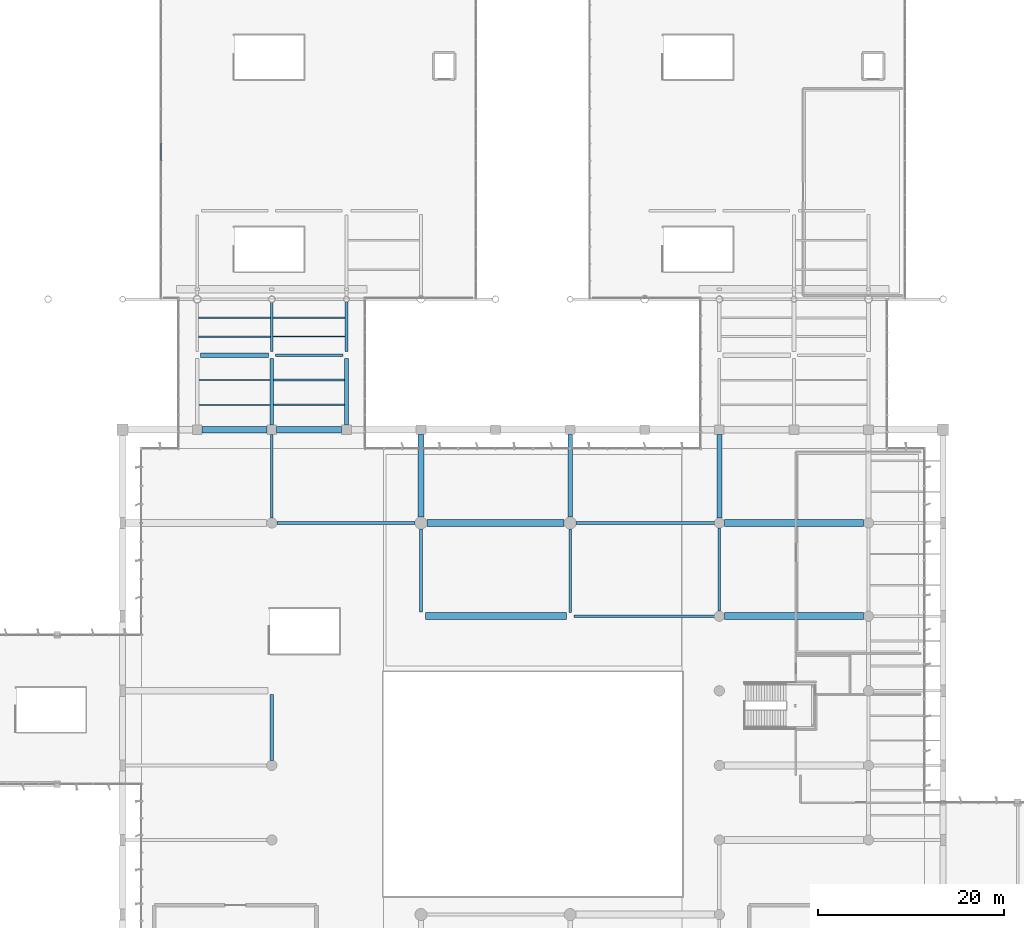
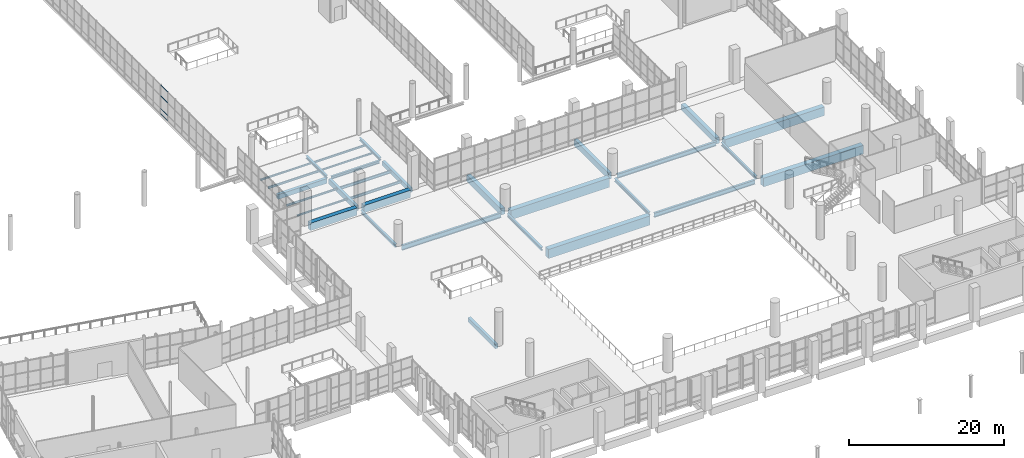
# One storey, part 51 of 176: 31 beams, 4 members, 1 element without a shape of its own.
"""IFC4 building model written with IfcOpenShell, lengths in metres."""

from ifc_helpers import new_model, si_unit, direction, frame, origin, origin_2d, place, context, subcontext, project, spatial, rectangle, hollow_rectangle, i_section, extrude, material, layer, layer_set, material_profile, profile_set, type_object, element, aggregate, save


model = new_model("IFC4")

# Units and contexts
model_context = context("Model", 3, precision=1e-05, world=origin(), true_north=direction((0.0, 1.0)))
body_context = subcontext(model_context, "Body", "Model", "MODEL_VIEW")
ifc_project = project(units=[si_unit("LENGTHUNIT", "METRE"), si_unit("AREAUNIT", "SQUARE_METRE"), si_unit("VOLUMEUNIT", "CUBIC_METRE"), si_unit("PLANEANGLEUNIT", "RADIAN"), si_unit("MASSUNIT", "GRAM", prefix="KILO")], contexts=[model_context])

# Site, building, storey
site_placement = place(None, origin())
site = spatial("IfcSite", under=ifc_project, at=site_placement, CompositionType="ELEMENT")
building_placement = place(site_placement, origin())
building = spatial("IfcBuilding", under=site, at=building_placement, Name="Khorjan Park Terminus", CompositionType="ELEMENT")
storey_placement = place(building_placement, frame((0.0, 0.0, 6.0)))
storey = spatial("IfcBuildingStorey", under=building, at=storey_placement, Name="L01", CompositionType="ELEMENT", Elevation=6.0)

# Beams
ifc_material_1 = material(Name="Steel S355", Category="steel")
ifc_material_profile_1 = material_profile(ifc_material_1, i_section(OverallWidth=0.3, OverallDepth=0.44, WebThickness=0.0115, FlangeThickness=0.021, FilletRadius=0.027, at=origin_2d()), Name="HEA 450")
ifc_profile_set_1 = profile_set([ifc_material_profile_1], Name="Steel S355")
beam_type_1 = type_object("IfcBeamType", Name="BM-HEA450", PredefinedType="BEAM", material=ifc_profile_set_1)
beam_1_placement = place(storey_placement, frame((64.37, 96.0, -0.56), z_axis=(1.0, 0.0, 0.0), x_axis=(0.0, 1.0, 0.0)))
element("IfcBeam", 1, at=beam_1_placement, inside=storey, type_object=beam_type_1, Name="Primary floor girder SB-A45 (L01)", PredefinedType="BEAM", context=body_context, shape_type="SweptSolid", body=[
    extrude(i_section(OverallWidth=0.3, OverallDepth=0.44, WebThickness=0.0115, FlangeThickness=0.021, FilletRadius=0.027, at=origin_2d()), origin(), (0.0, 0.0, 1.0), 7.26),
])
ifc_material_profile_2 = material_profile(ifc_material_1, i_section(OverallWidth=0.3, OverallDepth=0.69, WebThickness=0.0145, FlangeThickness=0.027, FilletRadius=0.027, at=origin_2d()), Name="HEA 700")
ifc_profile_set_2 = profile_set([ifc_material_profile_2], Name="Steel S355")
beam_type_2 = type_object("IfcBeamType", Name="BM-HEA700", PredefinedType="BEAM", material=ifc_profile_set_2)
beam_2_placement = place(storey_placement, frame((96.395, 68.0, -0.695), z_axis=(1.0, 0.0, 0.0), x_axis=(0.0, 1.0, 0.0)))
element("IfcBeam", 2, at=beam_2_placement, inside=storey, type_object=beam_type_2, Name="Primary floor girder SB-A70 (L01)", PredefinedType="BEAM", context=body_context, shape_type="SweptSolid", body=[
    extrude(i_section(OverallWidth=0.3, OverallDepth=0.69, WebThickness=0.0145, FlangeThickness=0.027, FilletRadius=0.027, at=origin_2d()), origin(), (0.0, 0.0, 1.0), 15.06),
])
beam_3_placement = place(storey_placement, frame((96.645, 78.0, -0.695), z_axis=(1.0, 0.0, 0.0), x_axis=(0.0, 1.0, 0.0)))
element("IfcBeam", 3, at=beam_3_placement, inside=storey, type_object=beam_type_2, Name="Primary floor girder SB-A70 (L01)", PredefinedType="BEAM", context=body_context, shape_type="SweptSolid", body=[
    extrude(i_section(OverallWidth=0.3, OverallDepth=0.69, WebThickness=0.0145, FlangeThickness=0.027, FilletRadius=0.027, at=origin_2d()), origin(), (0.0, 0.0, 1.0), 14.81),
])
ifc_material_profile_3 = material_profile(ifc_material_1, i_section(OverallWidth=0.3, OverallDepth=0.79, WebThickness=0.015, FlangeThickness=0.028, FilletRadius=0.03, at=origin_2d()), Name="HEA 800")
ifc_profile_set_3 = profile_set([ifc_material_profile_3], Name="Steel S355")
beam_type_3 = type_object("IfcBeamType", Name="BM-HEA800", PredefinedType="BEAM", material=ifc_profile_set_3)
beam_4_placement = place(storey_placement, frame((64.545, 78.0, -0.755), z_axis=(1.0, 0.0, 0.0), x_axis=(0.0, 1.0, 0.0)))
element("IfcBeam", 4, at=beam_4_placement, inside=storey, type_object=beam_type_3, Name="Primary floor girder SB-A80 (L01)", PredefinedType="BEAM", context=body_context, shape_type="SweptSolid", body=[
    extrude(i_section(OverallWidth=0.3, OverallDepth=0.79, WebThickness=0.015, FlangeThickness=0.028, FilletRadius=0.03, at=origin_2d()), origin(), (0.0, 0.0, 1.0), 14.81),
])
ifc_material_profile_4 = material_profile(ifc_material_1, i_section(OverallWidth=0.3, OverallDepth=0.4, WebThickness=0.0135, FlangeThickness=0.024, FilletRadius=0.027, at=origin_2d()), Name="HEB 400")
ifc_profile_set_4 = profile_set([ifc_material_profile_4], Name="Steel S355")
beam_type_4 = type_object("IfcBeamType", Name="BM-HEB400", PredefinedType="BEAM", material=ifc_profile_set_4)
beam_5_placement = place(storey_placement, frame((72.0, 96.37, -0.54), z_axis=(0.0, 1.0, 0.0), x_axis=(-1.0, 0.0, 0.0)))
element("IfcBeam", 5, at=beam_5_placement, inside=storey, type_object=beam_type_4, Name="Primary floor girder SB-B40 (L01)", PredefinedType="BEAM", context=body_context, shape_type="SweptSolid", body=[
    extrude(i_section(OverallWidth=0.3, OverallDepth=0.4, WebThickness=0.0135, FlangeThickness=0.024, FilletRadius=0.027, at=origin_2d()), origin(), (0.0, 0.0, 1.0), 5.33),
])
ifc_material_profile_5 = material_profile(ifc_material_1, i_section(OverallWidth=0.3, OverallDepth=0.45, WebThickness=0.014, FlangeThickness=0.026, FilletRadius=0.027, at=origin_2d()), Name="HEB 450")
ifc_profile_set_5 = profile_set([ifc_material_profile_5], Name="Steel S355")
beam_type_5 = type_object("IfcBeamType", Name="BM-HEB450", PredefinedType="BEAM", material=ifc_profile_set_5)
beam_6_placement = place(storey_placement, frame((64.0, 96.37, -0.565), z_axis=(0.0, 1.0, 0.0), x_axis=(-1.0, 0.0, 0.0)))
element("IfcBeam", 6, at=beam_6_placement, inside=storey, type_object=beam_type_5, Name="Primary floor girder SB-B45 (L01)", PredefinedType="BEAM", context=body_context, shape_type="SweptSolid", body=[
    extrude(i_section(OverallWidth=0.3, OverallDepth=0.45, WebThickness=0.014, FlangeThickness=0.026, FilletRadius=0.027, at=origin_2d()), origin(), (0.0, 0.0, 1.0), 5.2795),
])
ifc_material_profile_6 = material_profile(ifc_material_1, i_section(OverallWidth=0.3, OverallDepth=0.5, WebThickness=0.0145, FlangeThickness=0.028, FilletRadius=0.027, at=origin_2d()), Name="HEB 500")
ifc_profile_set_6 = profile_set([ifc_material_profile_6], Name="Steel S355")
beam_type_6 = type_object("IfcBeamType", Name="BM-HEB500", PredefinedType="BEAM", material=ifc_profile_set_6)
beam_7_placement = place(storey_placement, frame((64.0, 78.545, -0.61), z_axis=(0.0, 1.0, 0.0), x_axis=(-1.0, 0.0, 0.0)))
element("IfcBeam", 7, at=beam_7_placement, inside=storey, type_object=beam_type_6, Name="Primary floor girder SB-B50 (L01)", PredefinedType="BEAM", context=body_context, shape_type="SweptSolid", body=[
    extrude(i_section(OverallWidth=0.3, OverallDepth=0.5, WebThickness=0.0145, FlangeThickness=0.028, FilletRadius=0.027, at=origin_2d()), origin(), (0.0, 0.0, 1.0), 8.935),
])
beam_8_placement = place(storey_placement, frame((80.0, 68.47, -0.6), z_axis=(0.0, 1.0, 0.0), x_axis=(-1.0, 0.0, 0.0)))
element("IfcBeam", 8, at=beam_8_placement, inside=storey, type_object=beam_type_6, Name="Primary floor girder SB-B50 (L01)", PredefinedType="BEAM", context=body_context, shape_type="SweptSolid", body=[
    extrude(i_section(OverallWidth=0.3, OverallDepth=0.5, WebThickness=0.0145, FlangeThickness=0.028, FilletRadius=0.027, at=origin_2d()), origin(), (0.0, 0.0, 1.0), 8.885),
])
beam_9_placement = place(storey_placement, frame((96.0, 68.395, -0.6), z_axis=(0.0, 1.0, 0.0), x_axis=(-1.0, 0.0, 0.0)))
element("IfcBeam", 9, at=beam_9_placement, inside=storey, type_object=beam_type_6, Name="Primary floor girder SB-B50 (L01)", PredefinedType="BEAM", context=body_context, shape_type="SweptSolid", body=[
    extrude(i_section(OverallWidth=0.3, OverallDepth=0.5, WebThickness=0.0145, FlangeThickness=0.028, FilletRadius=0.027, at=origin_2d()), origin(), (0.0, 0.0, 1.0), 8.96),
])
beam_10_placement = place(storey_placement, frame((112.0, 68.545, -0.61), z_axis=(0.0, 1.0, 0.0), x_axis=(-1.0, 0.0, 0.0)))
element("IfcBeam", 10, at=beam_10_placement, inside=storey, type_object=beam_type_6, Name="Primary floor girder SB-B50 (L01)", PredefinedType="BEAM", context=body_context, shape_type="SweptSolid", body=[
    extrude(i_section(OverallWidth=0.3, OverallDepth=0.5, WebThickness=0.0145, FlangeThickness=0.028, FilletRadius=0.027, at=origin_2d()), origin(), (0.0, 0.0, 1.0), 8.91),
])
ifc_material_2 = material(Name="Concrete C40/50", Category="concrete")
ifc_material_profile_7 = material_profile(ifc_material_2, rectangle(XDim=0.4, YDim=0.7, at=origin_2d()), Name="RC 400x700")
ifc_profile_set_7 = profile_set([ifc_material_profile_7], Name="Concrete C40/50")
beam_type_7 = type_object("IfcBeamType", Name="BM-RC400x700", PredefinedType="BEAM", material=ifc_profile_set_7)
beam_11_placement = place(storey_placement, frame((64.0, 52.545, -0.71), z_axis=(0.0, 1.0, 0.0), x_axis=(-1.0, 0.0, 0.0)))
element("IfcBeam", 11, at=beam_11_placement, inside=storey, type_object=beam_type_7, Name="Primary floor girder GB-07 (L01)", PredefinedType="BEAM", context=body_context, shape_type="SweptSolid", body=[
    extrude(rectangle(XDim=0.4, YDim=0.7, at=origin_2d()), origin(), (0.0, 0.0, 1.0), 7.06),
])
beam_12_placement = place(storey_placement, frame((72.0, 88.52, -0.69), z_axis=(0.0, 1.0, 0.0), x_axis=(-1.0, 0.0, 0.0)))
element("IfcBeam", 12, at=beam_12_placement, inside=storey, type_object=beam_type_7, Name="Primary floor girder GB-07 (L01)", PredefinedType="BEAM", context=body_context, shape_type="SweptSolid", body=[
    extrude(rectangle(XDim=0.4, YDim=0.7, at=origin_2d()), origin(), (0.0, 0.0, 1.0), 7.11),
])
ifc_material_profile_8 = material_profile(ifc_material_2, rectangle(XDim=0.4, YDim=0.8, at=origin_2d()), Name="RC 400x800")
ifc_profile_set_8 = profile_set([ifc_material_profile_8], Name="Concrete C40/50")
beam_type_8 = type_object("IfcBeamType", Name="BM-RC400x800", PredefinedType="BEAM", material=ifc_profile_set_8)
beam_13_placement = place(storey_placement, frame((64.0, 88.52, -0.74), z_axis=(0.0, 1.0, 0.0), x_axis=(-1.0, 0.0, 0.0)))
element("IfcBeam", 13, at=beam_13_placement, inside=storey, type_object=beam_type_8, Name="Primary floor girder GB-08B (L01)", PredefinedType="BEAM", context=body_context, shape_type="SweptSolid", body=[
    extrude(rectangle(XDim=0.4, YDim=0.8, at=origin_2d()), origin(), (0.0, 0.0, 1.0), 7.11),
])
ifc_material_profile_9 = material_profile(ifc_material_2, rectangle(XDim=0.45, YDim=0.75, at=origin_2d()), Name="RC 450x750")
ifc_profile_set_9 = profile_set([ifc_material_profile_9], Name="Concrete C40/50")
beam_type_9 = type_object("IfcBeamType", Name="BM-RC450x750", PredefinedType="BEAM", material=ifc_profile_set_9)
beam_14_placement = place(storey_placement, frame((56.37, 96.0, -0.715), z_axis=(1.0, 0.0, 0.0), x_axis=(0.0, 1.0, 0.0)))
element("IfcBeam", 14, at=beam_14_placement, inside=storey, type_object=beam_type_9, Name="Primary floor girder GB-75 (L01)", PredefinedType="BEAM", context=body_context, shape_type="SweptSolid", body=[
    extrude(rectangle(XDim=0.45, YDim=0.75, at=origin_2d()), origin(), (0.0, 0.0, 1.0), 7.26),
])
ifc_material_profile_10 = material_profile(ifc_material_2, rectangle(XDim=0.5, YDim=1.0, at=origin_2d()), Name="RC 500x1000")
ifc_profile_set_10 = profile_set([ifc_material_profile_10], Name="Concrete C40/50")
beam_type_10 = type_object("IfcBeamType", Name="BM-RC500x1000", PredefinedType="BEAM", material=ifc_profile_set_10)
beam_15_placement = place(storey_placement, frame((96.0, 78.645, -0.85), z_axis=(0.0, 1.0, 0.0), x_axis=(-1.0, 0.0, 0.0)))
element("IfcBeam", 15, at=beam_15_placement, inside=storey, type_object=beam_type_10, Name="Primary floor girder GB-10B (L01)", PredefinedType="BEAM", context=body_context, shape_type="SweptSolid", body=[
    extrude(rectangle(XDim=0.5, YDim=1.0, at=origin_2d()), origin(), (0.0, 0.0, 1.0), 8.835),
])
ifc_material_profile_11 = material_profile(ifc_material_2, rectangle(XDim=0.55, YDim=0.95, at=origin_2d()), Name="RC 550x950")
ifc_profile_set_11 = profile_set([ifc_material_profile_11], Name="Concrete C40/50")
beam_type_11 = type_object("IfcBeamType", Name="BM-RC550x950", PredefinedType="BEAM", material=ifc_profile_set_11)
beam_16_placement = place(storey_placement, frame((112.0, 78.545, -0.835), z_axis=(0.0, 1.0, 0.0), x_axis=(-1.0, 0.0, 0.0)))
element("IfcBeam", 16, at=beam_16_placement, inside=storey, type_object=beam_type_11, Name="Primary floor girder GB-95 (L01)", PredefinedType="BEAM", context=body_context, shape_type="SweptSolid", body=[
    extrude(rectangle(XDim=0.55, YDim=0.95, at=origin_2d()), origin(), (0.0, 0.0, 1.0), 8.935),
])
ifc_material_profile_12 = material_profile(ifc_material_2, rectangle(XDim=0.6, YDim=1.0, at=origin_2d()), Name="RC 600x1000")
ifc_profile_set_12 = profile_set([ifc_material_profile_12], Name="Concrete C40/50")
beam_type_12 = type_object("IfcBeamType", Name="BM-RC600x1000", PredefinedType="BEAM", material=ifc_profile_set_12)
beam_17_placement = place(storey_placement, frame((80.0, 78.645, -0.85), z_axis=(0.0, 1.0, 0.0), x_axis=(-1.0, 0.0, 0.0)))
element("IfcBeam", 17, at=beam_17_placement, inside=storey, type_object=beam_type_12, Name="Primary floor girder GB-10 (L01)", PredefinedType="BEAM", context=body_context, shape_type="SweptSolid", body=[
    extrude(rectangle(XDim=0.6, YDim=1.0, at=origin_2d()), origin(), (0.0, 0.0, 1.0), 8.835),
])
ifc_material_3 = material(Name="Concrete C50/60", Category="concrete")
ifc_material_profile_13 = material_profile(ifc_material_3, rectangle(XDim=0.75, YDim=1.35, at=origin_2d()), Name="RC 750x1350")
ifc_profile_set_13 = profile_set([ifc_material_profile_13], Name="Concrete C50/60")
beam_type_13 = type_object("IfcBeamType", Name="BM-RC750x1350", PredefinedType="BEAM", material=ifc_profile_set_13)
for number, where, z_axis, x_axis, name in (
    (18, (112.545, 68.0, -1.035), (1.0, 0.0, 0.0), (0.0, 1.0, 0.0), "Primary floor girder GB-13 (L01)"),
    (19, (112.545, 78.0, -1.035), (1.0, 0.0, 0.0), (0.0, 1.0, 0.0), "Primary floor girder GB-13 (L01)"),
):
    element("IfcBeam", number, at=place(storey_placement, frame(where, z_axis=z_axis, x_axis=x_axis)), inside=storey, type_object=beam_type_13, Name=name, PredefinedType="BEAM", context=body_context, shape_type="SweptSolid", body=[
        extrude(rectangle(XDim=0.75, YDim=1.35, at=origin_2d()), origin(), (0.0, 0.0, 1.0), 14.91),
    ])
ifc_material_profile_14 = material_profile(ifc_material_3, rectangle(XDim=0.75, YDim=1.45, at=origin_2d()), Name="RC 750x1450")
ifc_profile_set_14 = profile_set([ifc_material_profile_14], Name="Concrete C50/60")
beam_type_14 = type_object("IfcBeamType", Name="BM-RC750x1450", PredefinedType="BEAM", material=ifc_profile_set_14)
beam_18_placement = place(storey_placement, frame((80.47, 68.0, -1.075), z_axis=(1.0, 0.0, 0.0), x_axis=(0.0, 1.0, 0.0)))
element("IfcBeam", 20, at=beam_18_placement, inside=storey, type_object=beam_type_14, Name="Primary floor girder GB-14 (L01)", PredefinedType="BEAM", context=body_context, shape_type="SweptSolid", body=[
    extrude(rectangle(XDim=0.75, YDim=1.45, at=origin_2d()), origin(), (0.0, 0.0, 1.0), 15.135),
])
beam_19_placement = place(storey_placement, frame((80.645, 78.0, -1.075), z_axis=(1.0, 0.0, 0.0), x_axis=(0.0, 1.0, 0.0)))
element("IfcBeam", 21, at=beam_19_placement, inside=storey, type_object=beam_type_14, Name="Primary floor girder GB-14 (L01)", PredefinedType="BEAM", context=body_context, shape_type="SweptSolid", body=[
    extrude(rectangle(XDim=0.75, YDim=1.45, at=origin_2d()), origin(), (0.0, 0.0, 1.0), 14.71),
])
ifc_material_profile_15 = material_profile(ifc_material_1, i_section(OverallWidth=0.135, OverallDepth=0.27, WebThickness=0.0066, FlangeThickness=0.0102, FilletRadius=0.015, at=origin_2d()), Name="IPE 270")
ifc_profile_set_15 = profile_set([ifc_material_profile_15], Name="Steel S355")
beam_type_15 = type_object("IfcBeamType", Name="JS-IPE270", PredefinedType="JOIST", material=ifc_profile_set_15)
beam_20_placement = place(storey_placement, frame((56.2, 90.6667, -0.475), z_axis=(1.0, 0.0, 0.0), x_axis=(0.0, 1.0, 0.0)))
element("IfcBeam", 22, at=beam_20_placement, inside=storey, type_object=beam_type_15, Name="Secondary composite floor joist SJ-27 (L01)", PredefinedType="JOIST", context=body_context, shape_type="SweptSolid", body=[
    extrude(i_section(OverallWidth=0.135, OverallDepth=0.27, WebThickness=0.0066, FlangeThickness=0.0102, FilletRadius=0.015, at=origin_2d()), origin(), (0.0, 0.0, 1.0), 7.6),
])
for number, where, z_axis, x_axis, name in (
    (23, (56.15, 100.0, -0.475), (1.0, 0.0, 0.0), (0.0, 1.0, 0.0), "Secondary composite floor joist SJ-27 (L01)"),
    (24, (64.15, 98.0, -0.475), (1.0, 0.0, 0.0), (0.0, 1.0, 0.0), "Secondary composite floor joist SJ-27 (L01)"),
):
    element("IfcBeam", number, at=place(storey_placement, frame(where, z_axis=z_axis, x_axis=x_axis)), inside=storey, type_object=beam_type_15, Name=name, PredefinedType="JOIST", context=body_context, shape_type="SweptSolid", body=[
        extrude(i_section(OverallWidth=0.135, OverallDepth=0.27, WebThickness=0.0066, FlangeThickness=0.0102, FilletRadius=0.015, at=origin_2d()), origin(), (0.0, 0.0, 1.0), 7.7),
    ])
ifc_material_profile_16 = material_profile(ifc_material_1, i_section(OverallWidth=0.15, OverallDepth=0.3, WebThickness=0.0071, FlangeThickness=0.0107, FilletRadius=0.015, at=origin_2d()), Name="IPE 300")
ifc_profile_set_16 = profile_set([ifc_material_profile_16], Name="Steel S355")
beam_type_16 = type_object("IfcBeamType", Name="JS-IPE300", PredefinedType="JOIST", material=ifc_profile_set_16)
beam_21_placement = place(storey_placement, frame((56.2, 93.3333, -0.49), z_axis=(1.0, 0.0, 0.0), x_axis=(0.0, 1.0, 0.0)))
element("IfcBeam", 25, at=beam_21_placement, inside=storey, type_object=beam_type_16, Name="Secondary composite floor joist SJ-30 (L01)", PredefinedType="JOIST", context=body_context, shape_type="SweptSolid", body=[
    extrude(i_section(OverallWidth=0.15, OverallDepth=0.3, WebThickness=0.0071, FlangeThickness=0.0107, FilletRadius=0.015, at=origin_2d()), origin(), (0.0, 0.0, 1.0), 7.6),
])
beam_22_placement = place(storey_placement, frame((64.15, 100.0, -0.49), z_axis=(1.0, 0.0, 0.0), x_axis=(0.0, 1.0, 0.0)))
element("IfcBeam", 26, at=beam_22_placement, inside=storey, type_object=beam_type_16, Name="Secondary composite floor joist SJ-30 (L01)", PredefinedType="JOIST", context=body_context, shape_type="SweptSolid", body=[
    extrude(i_section(OverallWidth=0.15, OverallDepth=0.3, WebThickness=0.0071, FlangeThickness=0.0107, FilletRadius=0.015, at=origin_2d()), origin(), (0.0, 0.0, 1.0), 7.7),
])
ifc_material_profile_17 = material_profile(ifc_material_1, i_section(OverallWidth=0.16, OverallDepth=0.33, WebThickness=0.0075, FlangeThickness=0.0115, FilletRadius=0.018, at=origin_2d()), Name="IPE 330")
ifc_profile_set_17 = profile_set([ifc_material_profile_17], Name="Steel S355")
beam_type_17 = type_object("IfcBeamType", Name="JS-IPE330", PredefinedType="JOIST", material=ifc_profile_set_17)
beam_23_placement = place(storey_placement, frame((56.15, 98.0, -0.505), z_axis=(1.0, 0.0, 0.0), x_axis=(0.0, 1.0, 0.0)))
element("IfcBeam", 27, at=beam_23_placement, inside=storey, type_object=beam_type_17, Name="Secondary composite floor joist SJ-33 (L01)", PredefinedType="JOIST", context=body_context, shape_type="SweptSolid", body=[
    extrude(i_section(OverallWidth=0.16, OverallDepth=0.33, WebThickness=0.0075, FlangeThickness=0.0115, FilletRadius=0.018, at=origin_2d()), origin(), (0.0, 0.0, 1.0), 7.7),
])
ifc_material_profile_18 = material_profile(ifc_material_1, i_section(OverallWidth=0.18, OverallDepth=0.4, WebThickness=0.0086, FlangeThickness=0.0135, FilletRadius=0.021, at=origin_2d()), Name="IPE 400")
ifc_profile_set_18 = profile_set([ifc_material_profile_18], Name="Steel S355")
beam_type_18 = type_object("IfcBeamType", Name="JS-IPE400", PredefinedType="JOIST", material=ifc_profile_set_18)
beam_24_placement = place(storey_placement, frame((64.2, 90.6667, -0.54), z_axis=(1.0, 0.0, 0.0), x_axis=(0.0, 1.0, 0.0)))
element("IfcBeam", 28, at=beam_24_placement, inside=storey, type_object=beam_type_18, Name="Secondary composite floor joist SJ-40 (L01)", PredefinedType="JOIST", context=body_context, shape_type="SweptSolid", body=[
    extrude(i_section(OverallWidth=0.18, OverallDepth=0.4, WebThickness=0.0086, FlangeThickness=0.0135, FilletRadius=0.021, at=origin_2d()), origin(), (0.0, 0.0, 1.0), 7.6),
])
ifc_material_profile_19 = material_profile(ifc_material_1, i_section(OverallWidth=0.19, OverallDepth=0.45, WebThickness=0.0094, FlangeThickness=0.0146, FilletRadius=0.021, at=origin_2d()), Name="IPE 450")
ifc_profile_set_19 = profile_set([ifc_material_profile_19], Name="Steel S355")
beam_type_19 = type_object("IfcBeamType", Name="JS-IPE450", PredefinedType="JOIST", material=ifc_profile_set_19)
beam_25_placement = place(storey_placement, frame((64.2, 93.3333, -0.565), z_axis=(1.0, 0.0, 0.0), x_axis=(0.0, 1.0, 0.0)))
element("IfcBeam", 29, at=beam_25_placement, inside=storey, type_object=beam_type_19, Name="Secondary composite floor joist SJ-45 (L01)", PredefinedType="JOIST", context=body_context, shape_type="SweptSolid", body=[
    extrude(i_section(OverallWidth=0.19, OverallDepth=0.45, WebThickness=0.0094, FlangeThickness=0.0146, FilletRadius=0.021, at=origin_2d()), origin(), (0.0, 0.0, 1.0), 7.6),
])
ifc_material_profile_20 = material_profile(ifc_material_3, rectangle(XDim=0.65, YDim=1.15, at=origin_2d()), Name="RC 650x1150")
ifc_profile_set_20 = profile_set([ifc_material_profile_20], Name="Concrete C50/60")
beam_type_20 = type_object("IfcBeamType", Name="SP-RC650x1150", PredefinedType="SPANDREL", material=ifc_profile_set_20)
for number, where, z_axis, x_axis, name in (
    (30, (56.52, 88.0, -0.575), (1.0, 0.0, 0.0), (0.0, 1.0, 0.0), "Concourse lower colonnade ring beam SP-11 (L01-4)"),
    (31, (64.52, 88.0, -0.575), (1.0, 0.0, 0.0), (0.0, 1.0, 0.0), "Concourse lower colonnade ring beam SP-11 (L01-6)"),
):
    element("IfcBeam", number, at=place(storey_placement, frame(where, z_axis=z_axis, x_axis=x_axis)), inside=storey, type_object=beam_type_20, Name=name, PredefinedType="SPANDREL", context=body_context, shape_type="SweptSolid", body=[
        extrude(rectangle(XDim=0.65, YDim=1.15, at=origin_2d()), origin(), (0.0, 0.0, 1.0), 6.96),
    ])

# Curtain wall, members
ifc_material_4 = material(Name="Anodized Bronze Aluminium", Category="aluminium")
ifc_layer = layer(ifc_material_4, 0.22)
ifc_layer_set = layer_set([ifc_layer], Name="Anodized Bronze Aluminium")
curtain_wall_type = type_object("IfcCurtainWallType", Name="CW-BRG-D", PredefinedType="NOTDEFINED", material=ifc_layer_set)
curtain_wall_placement = place(storey_placement, origin())
curtain_wall = element("IfcCurtainWall", 32, at=curtain_wall_placement, inside=storey, type_object=curtain_wall_type, Name="Unitized curtain wall CW-D (CW-BRW-W-2)", PredefinedType="NOTDEFINED")
ifc_material_profile_21 = material_profile(ifc_material_4, hollow_rectangle(XDim=0.06, YDim=0.12, WallThickness=0.004, InnerFilletRadius=0.004, OuterFilletRadius=0.008, at=origin_2d()), Name="ALT 60x120x4")
ifc_profile_set_21 = profile_set([ifc_material_profile_21], Name="Anodized Bronze Aluminium")
member_type = type_object("IfcMemberType", Name="TR-ALT-120", PredefinedType="USERDEFINED", material=ifc_profile_set_21)
member_1_placement = place(storey_placement, frame((52.1, 118.7143, 0.04), z_axis=(0.0, -1.0, 0.0), x_axis=(1.0, 0.0, 0.0)))
member_1 = element("IfcMember", 33, at=member_1_placement, type_object=member_type, Name="Curtain-wall transom TR-12 (CW-BRW-W-2-5-1)", ObjectType="TRANSOM", PredefinedType="USERDEFINED", context=body_context, shape_type="SweptSolid", body=[
    extrude(hollow_rectangle(XDim=0.06, YDim=0.12, WallThickness=0.004, InnerFilletRadius=0.004, OuterFilletRadius=0.008, at=origin_2d()), origin(), (0.0, 0.0, 1.0), 1.8572),
])
member_2_placement = place(storey_placement, frame((52.1, 118.7143, 0.85), z_axis=(0.0, -1.0, 0.0), x_axis=(1.0, 0.0, 0.0)))
member_2 = element("IfcMember", 34, at=member_2_placement, type_object=member_type, Name="Curtain-wall transom TR-12 (CW-BRW-W-2-5-2)", ObjectType="TRANSOM", PredefinedType="USERDEFINED", context=body_context, shape_type="SweptSolid", body=[
    extrude(hollow_rectangle(XDim=0.06, YDim=0.12, WallThickness=0.004, InnerFilletRadius=0.004, OuterFilletRadius=0.008, at=origin_2d()), origin(), (0.0, 0.0, 1.0), 1.8572),
])
member_3_placement = place(storey_placement, frame((52.1, 118.7143, 2.852), z_axis=(0.0, -1.0, 0.0), x_axis=(1.0, 0.0, 0.0)))
member_3 = element("IfcMember", 35, at=member_3_placement, type_object=member_type, Name="Curtain-wall transom TR-12 (CW-BRW-W-2-5-3)", ObjectType="TRANSOM", PredefinedType="USERDEFINED", context=body_context, shape_type="SweptSolid", body=[
    extrude(hollow_rectangle(XDim=0.06, YDim=0.12, WallThickness=0.004, InnerFilletRadius=0.004, OuterFilletRadius=0.008, at=origin_2d()), origin(), (0.0, 0.0, 1.0), 1.8572),
])
member_4_placement = place(storey_placement, frame((52.1, 118.7143, 4.56), z_axis=(0.0, -1.0, 0.0), x_axis=(1.0, 0.0, 0.0)))
member_4 = element("IfcMember", 36, at=member_4_placement, type_object=member_type, Name="Curtain-wall transom TR-12 (CW-BRW-W-2-5-4)", ObjectType="TRANSOM", PredefinedType="USERDEFINED", context=body_context, shape_type="SweptSolid", body=[
    extrude(hollow_rectangle(XDim=0.06, YDim=0.12, WallThickness=0.004, InnerFilletRadius=0.004, OuterFilletRadius=0.008, at=origin_2d()), origin(), (0.0, 0.0, 1.0), 1.8572),
])
aggregate(curtain_wall, [member_1, member_2, member_3, member_4])

save(model, "model.ifc")
